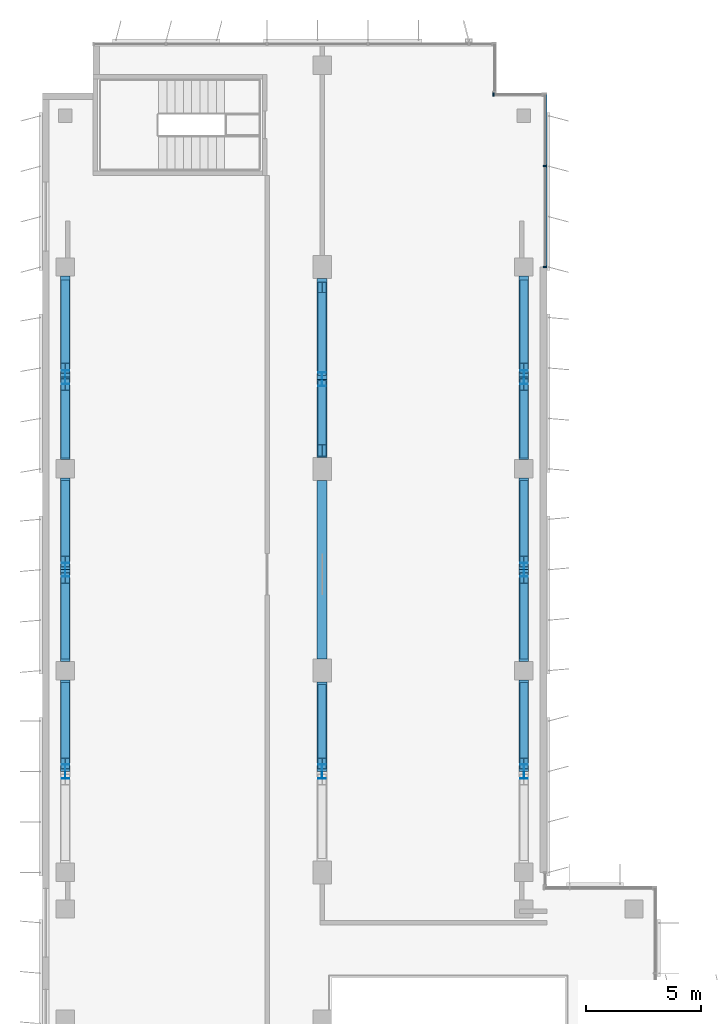
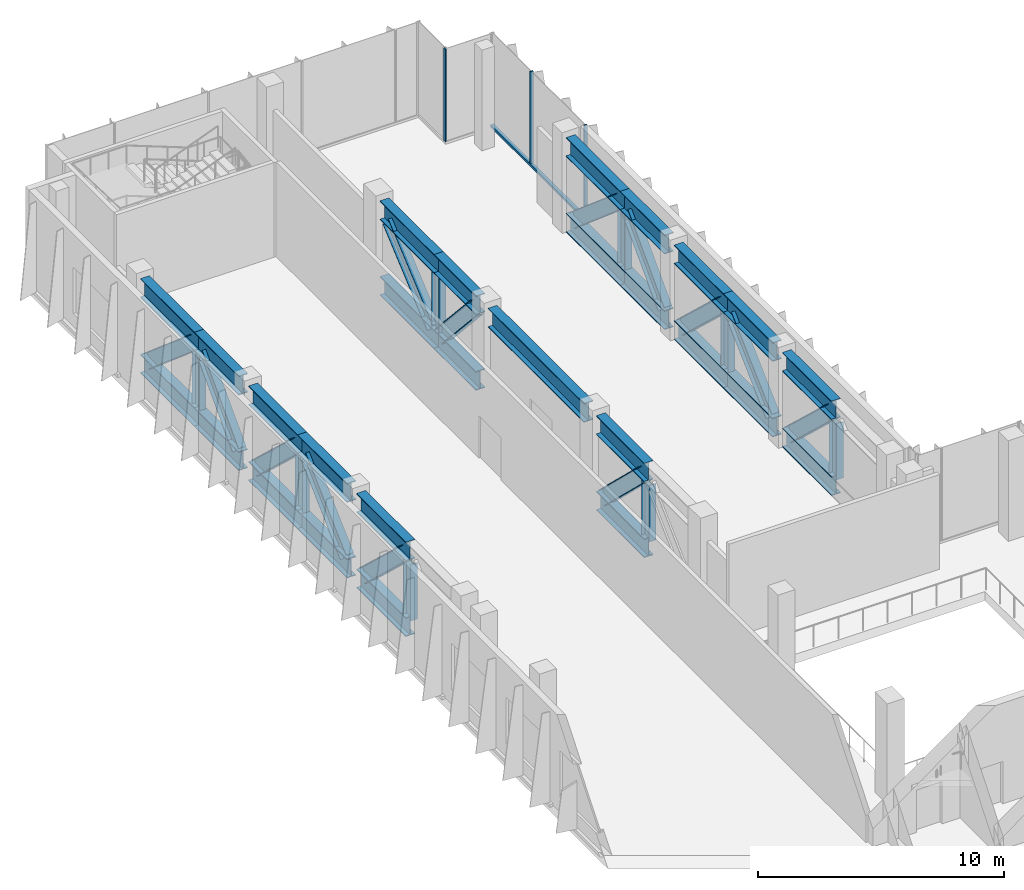
# One storey, part 4 of 13: 27 beams, 25 members, 2 elements without a shape of their own.
"""IFC4 building model written with IfcOpenShell, lengths in metres."""

import ifcopenshell
import ifcopenshell.guid

model = None  # the IFC model being written
_history = None  # IfcOwnerHistory: only IFC2X3 demands one
_inside = {}  # id of a spatial element -> (the spatial element, [elements in it])
_under = {}  # id of a project, library or spatial element -> (it, [spatial elements below it])
_declared = {}  # id of a project -> (the project, [libraries it declares])
_typed = {}  # id of a type object -> (the type object, [elements of that type])
_made_of = {}  # id of a material, layer set ... -> (it, [elements and type objects made of it])


def new_model(schema):
    """Start an empty IFC model of exactly this schema.

    Asked for "IFC4X3", IfcOpenShell would pick the latest addendum, in which some entities
    have other attributes; the version numbers below select the first issue.
    IFC2X3 requires an IfcOwnerHistory on every rooted entity: one is made here for all.
    """
    global model, _history
    if schema == "IFC4X3":
        model = ifcopenshell.file(schema_version=(4, 3, 0, 0))
    else:
        model = ifcopenshell.file(schema=schema)
    _inside.clear()
    _under.clear()
    _declared.clear()
    _typed.clear()
    _made_of.clear()
    _history = None
    if model.schema == "IFC2X3":
        org = make("IfcOrganization", Name="unknown")
        user = make(
            "IfcPersonAndOrganization",
            ThePerson=make("IfcPerson", FamilyName="unknown"),
            TheOrganization=org,
        )
        app = make(
            "IfcApplication",
            ApplicationDeveloper=org,
            Version="unknown",
            ApplicationFullName="unknown",
            ApplicationIdentifier="unknown",
        )
        _history = make(
            "IfcOwnerHistory",
            OwningUser=user,
            OwningApplication=app,
            ChangeAction="ADDED",
            CreationDate=0,
        )
    return model


def make(cls, **values):
    """One entity of the class cls with the attributes given. An attribute that is None is left unset."""
    return model.create_entity(
        cls, **{name: value for name, value in values.items() if value is not None}
    )


def rooted(cls, **values):
    """An entity with a GlobalId (a new one), such as an element, a storey or a relation."""
    return make(cls, GlobalId=ifcopenshell.guid.new(), OwnerHistory=_history, **values)


def si_unit(unit_type, name, prefix=None):
    """IfcSIUnit, for example si_unit("LENGTHUNIT", "METRE", prefix="MILLI")."""
    return make("IfcSIUnit", UnitType=unit_type, Prefix=prefix, Name=name)


def assignment(units):
    """IfcUnitAssignment: the units of a project."""
    return None if units is None else make("IfcUnitAssignment", Units=units)


def point(xyz):
    """IfcCartesianPoint."""
    return None if xyz is None else make("IfcCartesianPoint", Coordinates=xyz)


def direction(xyz):
    """IfcDirection."""
    return None if xyz is None else make("IfcDirection", DirectionRatios=xyz)


def frame(location, z_axis=None, x_axis=None):
    """IfcAxis2Placement3D, a coordinate frame: its origin and axes. An axis left out is left unset."""
    return make(
        "IfcAxis2Placement3D",
        Location=point(location),
        Axis=direction(z_axis),
        RefDirection=direction(x_axis),
    )


def frame_2d(location, x_axis=None):
    """IfcAxis2Placement2D, a coordinate frame in the plane: its origin and x axis."""
    return make(
        "IfcAxis2Placement2D", Location=point(location), RefDirection=direction(x_axis)
    )


def origin():
    """The frame at (0, 0, 0) with its axes left unset."""
    return frame((0.0, 0.0, 0.0))


def origin_2d():
    """The frame at (0, 0) in the plane with its x axis left unset."""
    return frame_2d((0.0, 0.0))


def place(relative_to, where):
    """IfcLocalPlacement: puts the frame where relative to a parent placement (None: the world)."""
    return make(
        "IfcLocalPlacement", PlacementRelTo=relative_to, RelativePlacement=where
    )


def context(
    kind, dimensions, precision=None, world=None, true_north=None, identifier=None
):
    """IfcGeometricRepresentationContext, for example the 3D "Model" context."""
    return make(
        "IfcGeometricRepresentationContext",
        ContextIdentifier=identifier,
        ContextType=kind,
        CoordinateSpaceDimension=dimensions,
        Precision=precision,
        WorldCoordinateSystem=world,
        TrueNorth=true_north,
    )


def subcontext(parent, identifier, kind, view, scale=None):
    """IfcGeometricRepresentationSubContext, for example "Body" below "Model"."""
    return make(
        "IfcGeometricRepresentationSubContext",
        ContextIdentifier=identifier,
        ContextType=kind,
        ParentContext=parent,
        TargetScale=scale,
        TargetView=view,
    )


def project(units=None, contexts=None):
    """IfcProject with its units and contexts."""
    return rooted(
        "IfcProject",
        Name="project",
        RepresentationContexts=contexts,
        UnitsInContext=assignment(units),
    )


def spatial(cls, under=None, at=None, **own):
    """A site, building, storey or space (cls), placed at a placement, below another one or the project."""
    s = rooted(cls, ObjectPlacement=at, **own)
    if under is not None:
        _under.setdefault(under.id(), (under, []))[1].append(s)
    return s


def profile(cls, at=None, kind="AREA", **sizes):
    """A parametric profile (cls). Its sizes go by their IFC names, for example OverallWidth=200.0."""
    return make(cls, ProfileType=kind, Position=at, **sizes)


def rectangle(**sizes):
    """IfcRectangleProfileDef."""
    return profile("IfcRectangleProfileDef", **sizes)


def i_section(**sizes):
    """IfcIShapeProfileDef."""
    return profile("IfcIShapeProfileDef", **sizes)


def extrude(swept, where, along, depth):
    """IfcExtrudedAreaSolid: the profile swept, set in the frame where, extruded along a direction by depth."""
    return make(
        "IfcExtrudedAreaSolid",
        SweptArea=swept,
        Position=where,
        ExtrudedDirection=direction(along),
        Depth=depth,
    )


def shape(context_of_items, identifier, shape_type, items):
    """IfcShapeRepresentation: the items that make up one representation, for example the "Body"."""
    return make(
        "IfcShapeRepresentation",
        ContextOfItems=context_of_items,
        RepresentationIdentifier=identifier,
        RepresentationType=shape_type,
        Items=items,
    )


def source(mapping_origin, context_of_items, identifier, shape_type, items):
    """IfcRepresentationMap: a shape defined once, which mapped items show again and again."""
    return make(
        "IfcRepresentationMap",
        MappingOrigin=mapping_origin,
        MappedRepresentation=shape(context_of_items, identifier, shape_type, items),
    )


def transform(
    local_origin,
    x_axis=None,
    y_axis=None,
    z_axis=None,
    scale=None,
    scale2=None,
    scale3=None,
    uniform=True,
):
    """IfcCartesianTransformationOperator3D, or its non-uniform kind. x_axis, y_axis, z_axis: its Axis1, 2, 3."""
    if uniform:
        return make(
            "IfcCartesianTransformationOperator3D",
            Axis1=direction(x_axis),
            Axis2=direction(y_axis),
            LocalOrigin=point(local_origin),
            Scale=scale,
            Axis3=direction(z_axis),
        )
    return make(
        "IfcCartesianTransformationOperator3DnonUniform",
        Axis1=direction(x_axis),
        Axis2=direction(y_axis),
        LocalOrigin=point(local_origin),
        Scale=scale,
        Axis3=direction(z_axis),
        Scale2=scale2,
        Scale3=scale3,
    )


def mapped(mapping_source, mapping_target):
    """IfcMappedItem: shows the shape of a source again, moved by a transform."""
    return make(
        "IfcMappedItem", MappingSource=mapping_source, MappingTarget=mapping_target
    )


def material(Name=None, Category=None):
    """IfcMaterial."""
    return make("IfcMaterial", Name=Name, Category=Category)


def material_profile(
    of_material, cross_section, Name=None, Category=None, Priority=None
):
    """IfcMaterialProfile: a cross section and its material."""
    return make(
        "IfcMaterialProfile",
        Name=Name,
        Material=of_material,
        Profile=cross_section,
        Priority=Priority,
        Category=Category,
    )


def profile_set(profiles, Name=None, composite=None):
    """IfcMaterialProfileSet."""
    return make(
        "IfcMaterialProfileSet",
        Name=Name,
        MaterialProfiles=profiles,
        CompositeProfile=composite,
    )


def made_of(thing, what):
    """Note that an element or type object is made of a material, layer set ...; save() writes the relation."""
    if what is not None:
        _made_of.setdefault(what.id(), (what, []))[1].append(thing)
    return thing


def type_object(cls, material=None, **own):
    """A type object (cls), such as IfcWallType, which elements share."""
    return made_of(rooted(cls, **own), material)


def element(
    cls,
    number,
    at=None,
    inside=None,
    cuts=None,
    type_object=None,
    material=None,
    context=None,
    identifier="Body",
    shape_type=None,
    held_by="IfcProductDefinitionShape",
    body=None,
    shapes=None,
    **own,
):
    """One element of the class cls, such as IfcWall. Its Tag is "e" and its number.

    at: its placement. inside: the storey or other place that contains it. cuts: it is an
    opening in that element (IfcRelVoidsElement). A single representation is given by context,
    identifier, shape_type and body (its items); several are given by shapes. held_by: the class
    of the entity that holds the representations. save() writes the other relations.
    """
    e = rooted(cls, Tag="e%d" % number, ObjectPlacement=at, **own)
    if body is not None:
        shapes = [shape(context, identifier, shape_type, body)]
    if shapes is not None:
        e.Representation = make(held_by, Representations=shapes)
    if inside is not None:
        _inside.setdefault(inside.id(), (inside, []))[1].append(e)
    if cuts is not None:
        rooted(
            "IfcRelVoidsElement", RelatingBuildingElement=cuts, RelatedOpeningElement=e
        )
    if type_object is not None:
        _typed.setdefault(type_object.id(), (type_object, []))[1].append(e)
    return made_of(e, material)


def aggregate(whole, parts):
    """IfcRelAggregates: a whole, such as a stair, and the parts it consists of."""
    return rooted("IfcRelAggregates", RelatingObject=whole, RelatedObjects=parts)


def save(model, path):
    """Write the relations noted so far, then the file.

    IfcRelAggregates (storeys below a building ...), IfcRelContainedInSpatialStructure (elements
    in a storey), IfcRelDefinesByType, IfcRelAssociatesMaterial and IfcRelDeclares: one each for
    every whole, place, type object, material and project.
    """
    for whole, parts in _under.values():
        aggregate(whole, parts)
    for where, things in _inside.values():
        rooted(
            "IfcRelContainedInSpatialStructure",
            RelatedElements=things,
            RelatingStructure=where,
        )
    for kind, things in _typed.values():
        rooted("IfcRelDefinesByType", RelatedObjects=things, RelatingType=kind)
    for what, things in _made_of.values():
        rooted("IfcRelAssociatesMaterial", RelatedObjects=things, RelatingMaterial=what)
    for by, libraries in _declared.values():
        rooted("IfcRelDeclares", RelatingContext=by, RelatedDefinitions=libraries)
    model.write(path)


model = new_model("IFC4")

# Units and contexts
model_context = context("Model", 3, precision=1e-05, world=origin(), true_north=direction((0.0, 1.0)))
body_context = subcontext(model_context, "Body", "Model", "MODEL_VIEW")
ifc_project = project(units=[si_unit("LENGTHUNIT", "METRE"), si_unit("AREAUNIT", "SQUARE_METRE"), si_unit("VOLUMEUNIT", "CUBIC_METRE"), si_unit("PLANEANGLEUNIT", "RADIAN"), si_unit("MASSUNIT", "GRAM", prefix="KILO")], contexts=[model_context])

# Site, building, storey
site_placement = place(None, origin())
site = spatial("IfcSite", under=ifc_project, at=site_placement, CompositionType="ELEMENT")
building_placement = place(site_placement, origin())
building = spatial("IfcBuilding", under=site, at=building_placement, Name="Kemantara Hotel Tower", CompositionType="ELEMENT")
storey_placement = place(building_placement, frame((0.0, 0.0, 256.10009765625)))
storey = spatial("IfcBuildingStorey", under=building, at=storey_placement, Name="L64", CompositionType="ELEMENT", Elevation=256.10009765625)

# Beams
ifc_material_1 = material(Name="Steel ASTM A992 Grade 50", Category="steel")
ifc_material_profile_1 = material_profile(ifc_material_1, i_section(OverallWidth=0.424072265625, OverallDepth=0.947021484375, WebThickness=0.02392578125, FlangeThickness=0.042724609375, at=origin_2d()), Name="W920X449")
ifc_profile_set_1 = profile_set([ifc_material_profile_1], Name="Steel ASTM A992 Grade 50")
beam_type = type_object("IfcBeamType", Name="PORTAL LINTEL TRUSS CHORD W920X449", PredefinedType="BEAM", material=ifc_profile_set_1)
for number, where, z_axis, x_axis, name in (
    (1, (1.0, 31.800048828125, 0.473388671875), (0.0, 1.0, 0.0), (-1.0, 0.0, 0.0), "PORTAL LINTEL T1 bottom chord 2"),
    (2, (1.0, 36.60009765625, 0.473388671875), (0.0, 1.0, 0.0), (-1.0, 0.0, 0.0), "PORTAL LINTEL T1 bottom chord 3"),
    (3, (1.0, 40.60009765625, 0.473388671875), (0.0, 1.0, 0.0), (-1.0, 0.0, 0.0), "PORTAL LINTEL T1 bottom chord 4"),
):
    element("IfcBeam", number, at=place(storey_placement, frame(where, z_axis=z_axis, x_axis=x_axis)), inside=storey, type_object=beam_type, Name=name, PredefinedType="BEAM", context=body_context, shape_type="SweptSolid", body=[
        extrude(i_section(OverallWidth=0.424072265625, OverallDepth=0.947021484375, WebThickness=0.02392578125, FlangeThickness=0.042724609375, at=origin_2d()), origin(), (0.0, 0.0, 1.0), 4.0),
    ])
beam_1_placement = place(storey_placement, frame((1.0, 45.39990234375, 0.473388671875), z_axis=(0.0, 1.0, 0.0), x_axis=(-1.0, 0.0, 0.0)))
element("IfcBeam", 4, at=beam_1_placement, inside=storey, type_object=beam_type, Name="PORTAL LINTEL T1 bottom chord 5", PredefinedType="BEAM", context=body_context, shape_type="SweptSolid", body=[
    extrude(i_section(OverallWidth=0.424072265625, OverallDepth=0.947021484375, WebThickness=0.02392578125, FlangeThickness=0.042724609375, at=origin_2d()), origin(), (0.0, 0.0, 1.0), 3.60009765625),
])
beam_2_placement = place(storey_placement, frame((1.0, 49.0, 0.473388671875), z_axis=(0.0, 1.0, 0.0), x_axis=(-1.0, 0.0, 0.0)))
element("IfcBeam", 5, at=beam_2_placement, inside=storey, type_object=beam_type, Name="PORTAL LINTEL T1 bottom chord 6", PredefinedType="BEAM", context=body_context, shape_type="SweptSolid", body=[
    extrude(i_section(OverallWidth=0.424072265625, OverallDepth=0.947021484375, WebThickness=0.02392578125, FlangeThickness=0.042724609375, at=origin_2d()), origin(), (0.0, 0.0, 1.0), 4.39990234375),
])
for number, where, z_axis, x_axis, name in (
    (6, (1.0, 31.800048828125, 4.226318359375), (0.0, 1.0, 0.0), (-1.0, 0.0, 0.0), "PORTAL LINTEL T1 top chord 2"),
    (7, (1.0, 36.60009765625, 4.226318359375), (0.0, 1.0, 0.0), (-1.0, 0.0, 0.0), "PORTAL LINTEL T1 top chord 3"),
    (8, (1.0, 40.60009765625, 4.226318359375), (0.0, 1.0, 0.0), (-1.0, 0.0, 0.0), "PORTAL LINTEL T1 top chord 4"),
):
    element("IfcBeam", number, at=place(storey_placement, frame(where, z_axis=z_axis, x_axis=x_axis)), inside=storey, type_object=beam_type, Name=name, PredefinedType="BEAM", context=body_context, shape_type="SweptSolid", body=[
        extrude(i_section(OverallWidth=0.424072265625, OverallDepth=0.947021484375, WebThickness=0.02392578125, FlangeThickness=0.042724609375, at=origin_2d()), origin(), (0.0, 0.0, 1.0), 4.0),
    ])
beam_3_placement = place(storey_placement, frame((1.0, 45.39990234375, 4.226318359375), z_axis=(0.0, 1.0, 0.0), x_axis=(-1.0, 0.0, 0.0)))
element("IfcBeam", 9, at=beam_3_placement, inside=storey, type_object=beam_type, Name="PORTAL LINTEL T1 top chord 5", PredefinedType="BEAM", context=body_context, shape_type="SweptSolid", body=[
    extrude(i_section(OverallWidth=0.424072265625, OverallDepth=0.947021484375, WebThickness=0.02392578125, FlangeThickness=0.042724609375, at=origin_2d()), origin(), (0.0, 0.0, 1.0), 3.60009765625),
])
beam_4_placement = place(storey_placement, frame((1.0, 49.0, 4.226318359375), z_axis=(0.0, 1.0, 0.0), x_axis=(-1.0, 0.0, 0.0)))
element("IfcBeam", 10, at=beam_4_placement, inside=storey, type_object=beam_type, Name="PORTAL LINTEL T1 top chord 6", PredefinedType="BEAM", context=body_context, shape_type="SweptSolid", body=[
    extrude(i_section(OverallWidth=0.424072265625, OverallDepth=0.947021484375, WebThickness=0.02392578125, FlangeThickness=0.042724609375, at=origin_2d()), origin(), (0.0, 0.0, 1.0), 4.39990234375),
])
beam_5_placement = place(storey_placement, frame((12.199951171875, 31.800048828125, 0.473388671875), z_axis=(0.0, 1.0, 0.0), x_axis=(-1.0, 0.0, 0.0)))
element("IfcBeam", 11, at=beam_5_placement, inside=storey, type_object=beam_type, Name="PORTAL LINTEL T3 bottom chord 2", PredefinedType="BEAM", context=body_context, shape_type="SweptSolid", body=[
    extrude(i_section(OverallWidth=0.424072265625, OverallDepth=0.947021484375, WebThickness=0.02392578125, FlangeThickness=0.042724609375, at=origin_2d()), origin(), (0.0, 0.0, 1.0), 3.89990234375),
])
beam_6_placement = place(storey_placement, frame((12.199951171875, 45.5, 0.473388671875), z_axis=(0.0, 1.0, 0.0), x_axis=(-1.0, 0.0, 0.0)))
element("IfcBeam", 12, at=beam_6_placement, inside=storey, type_object=beam_type, Name="PORTAL LINTEL T3 bottom chord 4", PredefinedType="BEAM", context=body_context, shape_type="SweptSolid", body=[
    extrude(i_section(OverallWidth=0.424072265625, OverallDepth=0.947021484375, WebThickness=0.02392578125, FlangeThickness=0.042724609375, at=origin_2d()), origin(), (0.0, 0.0, 1.0), 3.39990234375),
])
beam_7_placement = place(storey_placement, frame((12.199951171875, 48.89990234375, 0.473388671875), z_axis=(0.0, 1.0, 0.0), x_axis=(-1.0, 0.0, 0.0)))
element("IfcBeam", 13, at=beam_7_placement, inside=storey, type_object=beam_type, Name="PORTAL LINTEL T3 bottom chord 5", PredefinedType="BEAM", context=body_context, shape_type="SweptSolid", body=[
    extrude(i_section(OverallWidth=0.424072265625, OverallDepth=0.947021484375, WebThickness=0.02392578125, FlangeThickness=0.042724609375, at=origin_2d()), origin(), (0.0, 0.0, 1.0), 4.400146484375),
])
beam_8_placement = place(storey_placement, frame((12.199951171875, 31.800048828125, 4.226318359375), z_axis=(0.0, 1.0, 0.0), x_axis=(-1.0, 0.0, 0.0)))
element("IfcBeam", 14, at=beam_8_placement, inside=storey, type_object=beam_type, Name="PORTAL LINTEL T3 top chord 2", PredefinedType="BEAM", context=body_context, shape_type="SweptSolid", body=[
    extrude(i_section(OverallWidth=0.424072265625, OverallDepth=0.947021484375, WebThickness=0.02392578125, FlangeThickness=0.042724609375, at=origin_2d()), origin(), (0.0, 0.0, 1.0), 3.89990234375),
])
beam_9_placement = place(storey_placement, frame((12.199951171875, 36.699951171875, 4.226318359375), z_axis=(0.0, 1.0, 0.0), x_axis=(-1.0, 0.0, 0.0)))
element("IfcBeam", 15, at=beam_9_placement, inside=storey, type_object=beam_type, Name="PORTAL LINTEL T3 top chord 3", PredefinedType="BEAM", context=body_context, shape_type="SweptSolid", body=[
    extrude(i_section(OverallWidth=0.424072265625, OverallDepth=0.947021484375, WebThickness=0.02392578125, FlangeThickness=0.042724609375, at=origin_2d()), origin(), (0.0, 0.0, 1.0), 7.800048828125),
])
beam_10_placement = place(storey_placement, frame((12.199951171875, 45.5, 4.226318359375), z_axis=(0.0, 1.0, 0.0), x_axis=(-1.0, 0.0, 0.0)))
element("IfcBeam", 16, at=beam_10_placement, inside=storey, type_object=beam_type, Name="PORTAL LINTEL T3 top chord 4", PredefinedType="BEAM", context=body_context, shape_type="SweptSolid", body=[
    extrude(i_section(OverallWidth=0.424072265625, OverallDepth=0.947021484375, WebThickness=0.02392578125, FlangeThickness=0.042724609375, at=origin_2d()), origin(), (0.0, 0.0, 1.0), 3.39990234375),
])
beam_11_placement = place(storey_placement, frame((12.199951171875, 48.89990234375, 4.226318359375), z_axis=(0.0, 1.0, 0.0), x_axis=(-1.0, 0.0, 0.0)))
element("IfcBeam", 17, at=beam_11_placement, inside=storey, type_object=beam_type, Name="PORTAL LINTEL T3 top chord 5", PredefinedType="BEAM", context=body_context, shape_type="SweptSolid", body=[
    extrude(i_section(OverallWidth=0.424072265625, OverallDepth=0.947021484375, WebThickness=0.02392578125, FlangeThickness=0.042724609375, at=origin_2d()), origin(), (0.0, 0.0, 1.0), 4.400146484375),
])
for number, where, z_axis, x_axis, name in (
    (18, (21.0, 31.800048828125, 0.473388671875), (0.0, 1.0, 0.0), (-1.0, 0.0, 0.0), "PORTAL LINTEL T4 bottom chord 2"),
    (19, (21.0, 36.60009765625, 0.473388671875), (0.0, 1.0, 0.0), (-1.0, 0.0, 0.0), "PORTAL LINTEL T4 bottom chord 3"),
    (20, (21.0, 40.60009765625, 0.473388671875), (0.0, 1.0, 0.0), (-1.0, 0.0, 0.0), "PORTAL LINTEL T4 bottom chord 4"),
):
    element("IfcBeam", number, at=place(storey_placement, frame(where, z_axis=z_axis, x_axis=x_axis)), inside=storey, type_object=beam_type, Name=name, PredefinedType="BEAM", context=body_context, shape_type="SweptSolid", body=[
        extrude(i_section(OverallWidth=0.424072265625, OverallDepth=0.947021484375, WebThickness=0.02392578125, FlangeThickness=0.042724609375, at=origin_2d()), origin(), (0.0, 0.0, 1.0), 4.0),
    ])
beam_12_placement = place(storey_placement, frame((21.0, 45.39990234375, 0.473388671875), z_axis=(0.0, 1.0, 0.0), x_axis=(-1.0, 0.0, 0.0)))
element("IfcBeam", 21, at=beam_12_placement, inside=storey, type_object=beam_type, Name="PORTAL LINTEL T4 bottom chord 5", PredefinedType="BEAM", context=body_context, shape_type="SweptSolid", body=[
    extrude(i_section(OverallWidth=0.424072265625, OverallDepth=0.947021484375, WebThickness=0.02392578125, FlangeThickness=0.042724609375, at=origin_2d()), origin(), (0.0, 0.0, 1.0), 3.60009765625),
])
beam_13_placement = place(storey_placement, frame((21.0, 49.0, 0.473388671875), z_axis=(0.0, 1.0, 0.0), x_axis=(-1.0, 0.0, 0.0)))
element("IfcBeam", 22, at=beam_13_placement, inside=storey, type_object=beam_type, Name="PORTAL LINTEL T4 bottom chord 6", PredefinedType="BEAM", context=body_context, shape_type="SweptSolid", body=[
    extrude(i_section(OverallWidth=0.424072265625, OverallDepth=0.947021484375, WebThickness=0.02392578125, FlangeThickness=0.042724609375, at=origin_2d()), origin(), (0.0, 0.0, 1.0), 4.39990234375),
])
for number, where, z_axis, x_axis, name in (
    (23, (21.0, 31.800048828125, 4.226318359375), (0.0, 1.0, 0.0), (-1.0, 0.0, 0.0), "PORTAL LINTEL T4 top chord 2"),
    (24, (21.0, 36.60009765625, 4.226318359375), (0.0, 1.0, 0.0), (-1.0, 0.0, 0.0), "PORTAL LINTEL T4 top chord 3"),
    (25, (21.0, 40.60009765625, 4.226318359375), (0.0, 1.0, 0.0), (-1.0, 0.0, 0.0), "PORTAL LINTEL T4 top chord 4"),
):
    element("IfcBeam", number, at=place(storey_placement, frame(where, z_axis=z_axis, x_axis=x_axis)), inside=storey, type_object=beam_type, Name=name, PredefinedType="BEAM", context=body_context, shape_type="SweptSolid", body=[
        extrude(i_section(OverallWidth=0.424072265625, OverallDepth=0.947021484375, WebThickness=0.02392578125, FlangeThickness=0.042724609375, at=origin_2d()), origin(), (0.0, 0.0, 1.0), 4.0),
    ])
beam_14_placement = place(storey_placement, frame((21.0, 45.39990234375, 4.226318359375), z_axis=(0.0, 1.0, 0.0), x_axis=(-1.0, 0.0, 0.0)))
element("IfcBeam", 26, at=beam_14_placement, inside=storey, type_object=beam_type, Name="PORTAL LINTEL T4 top chord 5", PredefinedType="BEAM", context=body_context, shape_type="SweptSolid", body=[
    extrude(i_section(OverallWidth=0.424072265625, OverallDepth=0.947021484375, WebThickness=0.02392578125, FlangeThickness=0.042724609375, at=origin_2d()), origin(), (0.0, 0.0, 1.0), 3.60009765625),
])
beam_15_placement = place(storey_placement, frame((21.0, 49.0, 4.226318359375), z_axis=(0.0, 1.0, 0.0), x_axis=(-1.0, 0.0, 0.0)))
element("IfcBeam", 27, at=beam_15_placement, inside=storey, type_object=beam_type, Name="PORTAL LINTEL T4 top chord 6", PredefinedType="BEAM", context=body_context, shape_type="SweptSolid", body=[
    extrude(i_section(OverallWidth=0.424072265625, OverallDepth=0.947021484375, WebThickness=0.02392578125, FlangeThickness=0.042724609375, at=origin_2d()), origin(), (0.0, 0.0, 1.0), 4.39990234375),
])

# Members
ifc_material_profile_2 = material_profile(ifc_material_1, i_section(OverallWidth=0.35791015625, OverallDepth=0.7060546875, WebThickness=0.018310546875, FlangeThickness=0.0302734375, at=origin_2d()), Name="W690X265")
ifc_profile_set_2 = profile_set([ifc_material_profile_2], Name="Steel ASTM A992 Grade 50")
member_type_1 = type_object("IfcMemberType", Name="PORTAL LINTEL TRUSS DIAGONAL W690X265", PredefinedType="BRACE", material=ifc_profile_set_2)
for number, where, z_axis, x_axis, name in (
    (28, (1.0, 35.4453125, 0.80615234375), (0.0, -0.729282375962, 0.684212844159), (1.0, 0.0, 0.0), "PORTAL LINTEL T1 diagonal 2"),
    (29, (1.0, 36.95458984375, 0.80615234375), (0.0, 0.729282375962, 0.684212844159), (-1.0, 0.0, 0.0), "PORTAL LINTEL T1 diagonal 3"),
    (30, (1.0, 44.245361328125, 0.80615234375), (0.0, -0.729282375962, 0.684212844159), (1.0, 0.0, 0.0), "PORTAL LINTEL T1 diagonal 4"),
):
    element("IfcMember", number, at=place(storey_placement, frame(where, z_axis=z_axis, x_axis=x_axis)), inside=storey, type_object=member_type_1, Name=name, PredefinedType="BRACE", context=body_context, shape_type="SweptSolid", body=[
        extrude(i_section(OverallWidth=0.35791015625, OverallDepth=0.7060546875, WebThickness=0.018310546875, FlangeThickness=0.0302734375, at=origin_2d()), origin(), (0.0, 0.0, 1.0), 4.512451171875),
    ])
member_1_placement = place(storey_placement, frame((1.0, 45.71923828125, 0.80615234375), z_axis=(0.0, 0.692259756367, 0.721648411427), x_axis=(-1.0, 0.0, 0.0)))
element("IfcMember", 31, at=member_1_placement, inside=storey, type_object=member_type_1, Name="PORTAL LINTEL T1 diagonal 5", PredefinedType="BRACE", context=body_context, shape_type="SweptSolid", body=[
    extrude(i_section(OverallWidth=0.35791015625, OverallDepth=0.7060546875, WebThickness=0.018310546875, FlangeThickness=0.0302734375, at=origin_2d()), origin(), (0.0, 0.0, 1.0), 4.2783203125),
])
member_2_placement = place(storey_placement, frame((1.0, 53.009765625, 0.80615234375), z_axis=(0.0, -0.760826499759, 0.648955343043), x_axis=(1.0, 0.0, 0.0)))
element("IfcMember", 32, at=member_2_placement, inside=storey, type_object=member_type_1, Name="PORTAL LINTEL T1 diagonal 6", PredefinedType="BRACE", context=body_context, shape_type="SweptSolid", body=[
    extrude(i_section(OverallWidth=0.35791015625, OverallDepth=0.7060546875, WebThickness=0.018310546875, FlangeThickness=0.0302734375, at=origin_2d()), origin(), (0.0, 0.0, 1.0), 4.757568359375),
])
member_3_placement = place(storey_placement, frame((12.199951171875, 35.354248046875, 0.80615234375), z_axis=(0.0, -0.720573826532, 0.693378223278), x_axis=(1.0, 0.0, 0.0)))
element("IfcMember", 33, at=member_3_placement, inside=storey, type_object=member_type_1, Name="PORTAL LINTEL T3 diagonal 2", PredefinedType="BRACE", context=body_context, shape_type="SweptSolid", body=[
    extrude(i_section(OverallWidth=0.35791015625, OverallDepth=0.7060546875, WebThickness=0.018310546875, FlangeThickness=0.0302734375, at=origin_2d()), origin(), (0.0, 0.0, 1.0), 4.45263671875),
])
member_4_placement = place(storey_placement, frame((12.199951171875, 48.5986328125, 0.80615234375), z_axis=(0.0, -0.671408810936, 0.74108718016), x_axis=(1.0, 0.0, 0.0)))
element("IfcMember", 34, at=member_4_placement, inside=storey, type_object=member_type_1, Name="PORTAL LINTEL T3 diagonal 4", PredefinedType="BRACE", context=body_context, shape_type="SweptSolid", body=[
    extrude(i_section(OverallWidth=0.35791015625, OverallDepth=0.7060546875, WebThickness=0.018310546875, FlangeThickness=0.0302734375, at=origin_2d()), origin(), (0.0, 0.0, 1.0), 4.166015625),
])
member_5_placement = place(storey_placement, frame((12.199951171875, 49.2900390625, 0.80615234375), z_axis=(0.0, 0.76084811031, 0.648930006271), x_axis=(-1.0, 0.0, 0.0)))
element("IfcMember", 35, at=member_5_placement, inside=storey, type_object=member_type_1, Name="PORTAL LINTEL T3 diagonal 5", PredefinedType="BRACE", context=body_context, shape_type="SweptSolid", body=[
    extrude(i_section(OverallWidth=0.35791015625, OverallDepth=0.7060546875, WebThickness=0.018310546875, FlangeThickness=0.0302734375, at=origin_2d()), origin(), (0.0, 0.0, 1.0), 4.757568359375),
])
for number, where, z_axis, x_axis, name in (
    (36, (21.0, 35.4453125, 0.80615234375), (0.0, -0.729282375962, 0.684212844159), (1.0, 0.0, 0.0), "PORTAL LINTEL T4 diagonal 2"),
    (37, (21.0, 36.95458984375, 0.80615234375), (0.0, 0.729282375962, 0.684212844159), (-1.0, 0.0, 0.0), "PORTAL LINTEL T4 diagonal 3"),
    (38, (21.0, 44.245361328125, 0.80615234375), (0.0, -0.729282375962, 0.684212844159), (1.0, 0.0, 0.0), "PORTAL LINTEL T4 diagonal 4"),
):
    element("IfcMember", number, at=place(storey_placement, frame(where, z_axis=z_axis, x_axis=x_axis)), inside=storey, type_object=member_type_1, Name=name, PredefinedType="BRACE", context=body_context, shape_type="SweptSolid", body=[
        extrude(i_section(OverallWidth=0.35791015625, OverallDepth=0.7060546875, WebThickness=0.018310546875, FlangeThickness=0.0302734375, at=origin_2d()), origin(), (0.0, 0.0, 1.0), 4.512451171875),
    ])
member_6_placement = place(storey_placement, frame((21.0, 45.71923828125, 0.80615234375), z_axis=(0.0, 0.692259756367, 0.721648411427), x_axis=(-1.0, 0.0, 0.0)))
element("IfcMember", 39, at=member_6_placement, inside=storey, type_object=member_type_1, Name="PORTAL LINTEL T4 diagonal 5", PredefinedType="BRACE", context=body_context, shape_type="SweptSolid", body=[
    extrude(i_section(OverallWidth=0.35791015625, OverallDepth=0.7060546875, WebThickness=0.018310546875, FlangeThickness=0.0302734375, at=origin_2d()), origin(), (0.0, 0.0, 1.0), 4.2783203125),
])
member_7_placement = place(storey_placement, frame((21.0, 53.009765625, 0.80615234375), z_axis=(0.0, -0.760826499759, 0.648955343043), x_axis=(1.0, 0.0, 0.0)))
element("IfcMember", 40, at=member_7_placement, inside=storey, type_object=member_type_1, Name="PORTAL LINTEL T4 diagonal 6", PredefinedType="BRACE", context=body_context, shape_type="SweptSolid", body=[
    extrude(i_section(OverallWidth=0.35791015625, OverallDepth=0.7060546875, WebThickness=0.018310546875, FlangeThickness=0.0302734375, at=origin_2d()), origin(), (0.0, 0.0, 1.0), 4.757568359375),
])
ifc_material_profile_3 = material_profile(ifc_material_1, i_section(OverallWidth=0.324951171875, OverallDepth=0.612060546875, WebThickness=0.0126953125, FlangeThickness=0.01904296875, at=origin_2d()), Name="W610X155")
ifc_profile_set_3 = profile_set([ifc_material_profile_3], Name="Steel ASTM A992 Grade 50")
member_type_2 = type_object("IfcMemberType", Name="PORTAL LINTEL TRUSS POST W610X155", PredefinedType="POST", material=ifc_profile_set_3)
for number, where, z_axis, x_axis, name in (
    (41, (1.0, 31.800048828125, 0.947021484375), (0.0, 0.0, 1.0), (1.0, 0.0, 0.0), "PORTAL LINTEL T1 post 2"),
    (42, (1.0, 40.60009765625, 0.947021484375), (0.0, 0.0, 1.0), (1.0, 0.0, 0.0), "PORTAL LINTEL T1 post 4"),
    (43, (1.0, 49.0, 0.947021484375), (0.0, 0.0, 1.0), (1.0, 0.0, 0.0), "PORTAL LINTEL T1 post 6"),
    (44, (12.199951171875, 31.800048828125, 0.947021484375), (0.0, 0.0, 1.0), (1.0, 0.0, 0.0), "PORTAL LINTEL T3 post 2"),
    (45, (12.199951171875, 48.89990234375, 0.947021484375), (0.0, 0.0, 1.0), (1.0, 0.0, 0.0), "PORTAL LINTEL T3 post 5"),
    (46, (21.0, 31.800048828125, 0.947021484375), (0.0, 0.0, 1.0), (1.0, 0.0, 0.0), "PORTAL LINTEL T4 post 2"),
    (47, (21.0, 40.60009765625, 0.947021484375), (0.0, 0.0, 1.0), (1.0, 0.0, 0.0), "PORTAL LINTEL T4 post 4"),
    (48, (21.0, 49.0, 0.947021484375), (0.0, 0.0, 1.0), (1.0, 0.0, 0.0), "PORTAL LINTEL T4 post 6"),
):
    element("IfcMember", number, at=place(storey_placement, frame(where, z_axis=z_axis, x_axis=x_axis)), inside=storey, type_object=member_type_2, Name=name, PredefinedType="POST", context=body_context, shape_type="SweptSolid", body=[
        extrude(i_section(OverallWidth=0.324951171875, OverallDepth=0.612060546875, WebThickness=0.0126953125, FlangeThickness=0.01904296875, at=origin_2d()), origin(), (0.0, 0.0, 1.0), 2.805908203125),
    ])

# Curtain wall, members
ifc_material_2 = material(Name="Low-E tinted double insulated glass 36 mm", Category="glass")
curtain_wall_type = type_object("IfcCurtainWallType", Name="TOWER CURTAIN WALL, FRONT FACES", PredefinedType="USERDEFINED", material=ifc_material_2)
curtain_wall_1_placement = place(storey_placement, origin())
curtain_wall_1 = element("IfcCurtainWall", 49, at=curtain_wall_1_placement, inside=storey, type_object=curtain_wall_type, Name="CW4 L64 T4-R15-2", ObjectType="TOWER CURTAIN WALL, FRONT FACES", PredefinedType="USERDEFINED")
ifc_material_3 = material(Name="Aluminium 6063-T6 bronze anodised", Category="aluminium")
ifc_material_profile_4 = material_profile(ifc_material_3, rectangle(XDim=0.14990234375, YDim=0.1201171875, at=origin_2d()), Name="TOWER CURTAIN WALL, FRONT FACES TRANSOM")
ifc_profile_set_4 = profile_set([ifc_material_profile_4], Name="Aluminium 6063-T6 bronze anodised")
member_type_3 = type_object("IfcMemberType", Name="TOWER CURTAIN WALL, FRONT FACES TRANSOM", PredefinedType="USERDEFINED", material=ifc_profile_set_4)
member_8_placement = place(storey_placement, frame((21.925048828125, 53.800048828125, 0.059814453125), z_axis=(0.0, 1.0, 0.0), x_axis=(-1.0, 0.0, 0.0)))
member_8 = element("IfcMember", 50, at=member_8_placement, type_object=member_type_3, Name="CW4 sill transom T4-R15-2", ObjectType="TRANSOM", PredefinedType="USERDEFINED", context=body_context, shape_type="SweptSolid", body=[
    extrude(rectangle(XDim=0.14990234375, YDim=0.1201171875, at=origin_2d()), origin(), (0.0, 0.0, 1.0), 7.599853515625),
])
ifc_material_profile_5 = material_profile(ifc_material_3, rectangle(XDim=0.14990234375, YDim=0.06005859375, at=origin_2d()), Name="TOWER CURTAIN WALL, FRONT FACES MULLION")
ifc_profile_set_5 = profile_set([ifc_material_profile_5], Name="Aluminium 6063-T6 bronze anodised")
member_type_4 = type_object("IfcMemberType", Name="TOWER CURTAIN WALL, FRONT FACES MULLION", PredefinedType="MULLION", material=ifc_profile_set_5)
shared_shape = source(origin(), body_context, "Body", "SweptSolid", [
    extrude(rectangle(XDim=0.14990234375, YDim=0.06005859375, at=origin_2d()), origin(), (0.0, 0.0, 1.0), 4.580078125),
])
member_9_placement = place(storey_placement, frame((21.925048828125, 53.800048828125, 0.119873046875), z_axis=(0.0, 0.0, 1.0), x_axis=(-1.0, 0.0, 0.0)))
member_9 = element("IfcMember", 51, at=member_9_placement, type_object=member_type_4, Name="CW4 mullion T4-R15-2.1", PredefinedType="MULLION", context=body_context, shape_type="MappedRepresentation", body=[
    mapped(shared_shape, transform((0.0, 0.0, 0.0))),
])
member_10_placement = place(storey_placement, frame((21.925048828125, 58.199951171875, 0.119873046875), z_axis=(0.0, 0.0, 1.0), x_axis=(-1.0, 0.0, 0.0)))
member_10 = element("IfcMember", 52, at=member_10_placement, type_object=member_type_4, Name="CW4 mullion T4-R15-2.2", PredefinedType="MULLION", context=body_context, shape_type="MappedRepresentation", body=[
    mapped(shared_shape, transform((0.0, 0.0, 0.0))),
])
aggregate(curtain_wall_1, [member_8, member_9, member_10])

# Curtain wall, member
curtain_wall_2_placement = place(storey_placement, origin())
curtain_wall_2 = element("IfcCurtainWall", 53, at=curtain_wall_2_placement, inside=storey, type_object=curtain_wall_type, Name="CW4 L64 T4-R00-1", ObjectType="TOWER CURTAIN WALL, FRONT FACES", PredefinedType="USERDEFINED")
member_11_placement = place(storey_placement, frame((19.679931640625, 61.324951171875, 0.119873046875), z_axis=(0.0, 0.0, 1.0), x_axis=(0.0, -1.0, 0.0)))
member_11 = element("IfcMember", 54, at=member_11_placement, type_object=member_type_4, Name="CW4 mullion T4-R00-1.2", PredefinedType="MULLION", context=body_context, shape_type="MappedRepresentation", body=[
    mapped(shared_shape, transform((0.0, 0.0, 0.0))),
])
aggregate(curtain_wall_2, [member_11])

save(model, "model.ifc")
